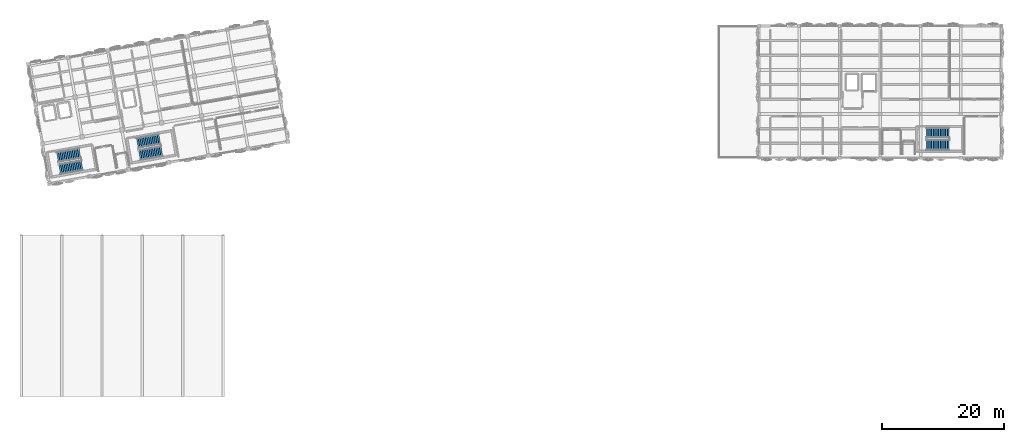
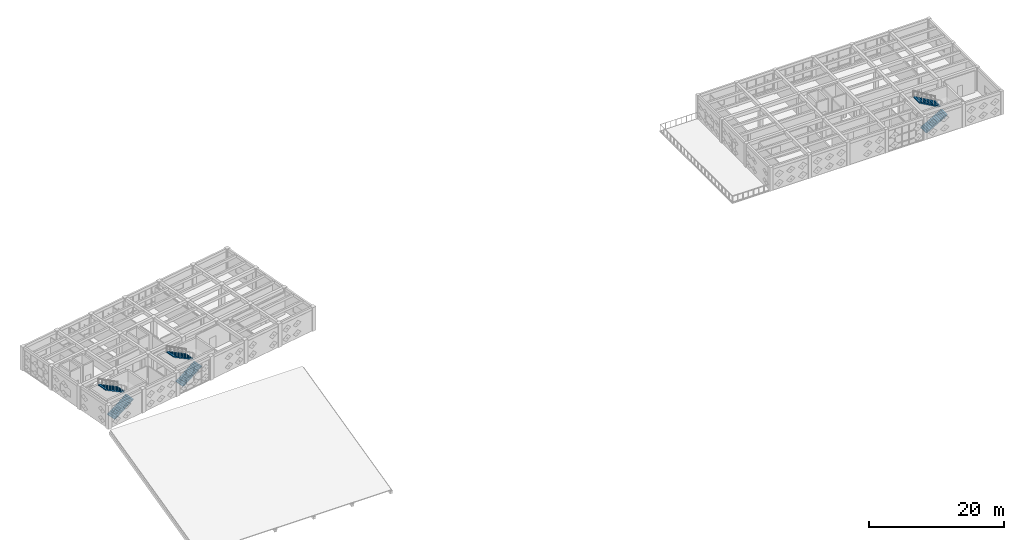
# One storey, part 33 of 39: 6 stair flights, 3 elements without a shape of their own.
"""IFC4 building model written with IfcOpenShell, lengths in metres."""

from ifc_helpers import new_model, si_unit, direction, frame, origin, place, context, subcontext, project, spatial, polyline, outline, extrude, material, type_object, element, aggregate, save


model = new_model("IFC4")

# Units and contexts
model_context = context("Model", 3, precision=1e-05, world=origin(), true_north=direction((0.0, 1.0)))
body_context = subcontext(model_context, "Body", "Model", "MODEL_VIEW")
ifc_project = project(units=[si_unit("LENGTHUNIT", "METRE"), si_unit("AREAUNIT", "SQUARE_METRE"), si_unit("VOLUMEUNIT", "CUBIC_METRE"), si_unit("PLANEANGLEUNIT", "RADIAN"), si_unit("MASSUNIT", "GRAM", prefix="KILO")], contexts=[model_context])

# Site, building, storey
site_placement = place(None, origin())
site = spatial("IfcSite", under=ifc_project, at=site_placement, CompositionType="ELEMENT")
building_placement = place(site_placement, origin())
building = spatial("IfcBuilding", under=site, at=building_placement, Name="Kharisveld Research Institute", CompositionType="ELEMENT")
storey_placement = place(building_placement, frame((0.0, 0.0, 23.10009765625)))
storey = spatial("IfcBuildingStorey", under=building, at=storey_placement, Name="L05", CompositionType="ELEMENT", Elevation=23.10009765625)

# Stair, stair flights
ifc_material_1 = material(Name="Concrete C40/50", Category="concrete")
stair_type = type_object("IfcStairType", Name="ST_EXIT_170", PredefinedType="TWO_STRAIGHT_RUN_STAIR", material=ifc_material_1)
stair_1_placement = place(storey_placement, origin())
stair_1 = element("IfcStair", 1, at=stair_1_placement, inside=storey, type_object=stair_type, Name="STR:ST1:L05", PredefinedType="TWO_STRAIGHT_RUN_STAIR")
ifc_material_2 = material(Name="Concrete C40/50", Category="concrete")
stair_flight_type = type_object("IfcStairFlightType", Name="SF_RUN_170", PredefinedType="STRAIGHT", material=ifc_material_2)
stair_flight_1_placement = place(storey_placement, frame((6.891357421875, 37.339111328125, 0.0), z_axis=(0.0, 0.0, 1.0), x_axis=(0.984807753012, 0.173648177667, 0.0)))
stair_flight_1 = element("IfcStairFlight", 2, at=stair_flight_1_placement, type_object=stair_flight_type, Name="ST-01 flight 1", NumberOfRisers=14, NumberOfTreads=13, PredefinedType="STRAIGHT", RiserHeight=0.160714, TreadLength=0.285, context=body_context, shape_type="SweptSolid", body=[
    extrude(outline(polyline([(0.0, 0.0), (0.0, 0.16064453125), (0.284912109375, 0.16064453125), (0.284912109375, 0.321533203125), (0.570068359375, 0.321533203125), (0.570068359375, 0.482177734375), (0.85498046875, 0.482177734375), (0.85498046875, 0.642822265625), (1.139892578125, 0.642822265625), (1.139892578125, 0.803466796875), (1.425048828125, 0.803466796875), (1.425048828125, 0.96435546875), (1.7099609375, 0.96435546875), (1.7099609375, 1.125), (1.9951171875, 1.125), (1.9951171875, 1.28564453125), (2.280029296875, 1.28564453125), (2.280029296875, 1.446533203125), (2.56494140625, 1.446533203125), (2.56494140625, 1.607177734375), (2.85009765625, 1.607177734375), (2.85009765625, 1.767822265625), (3.135009765625, 1.767822265625), (3.135009765625, 1.928466796875), (3.419921875, 1.928466796875), (3.419921875, 2.08935546875), (3.705078125, 2.08935546875), (3.705078125, 2.25), (3.705078125, 1.917236328125), (0.30517578125, 0.0), (0.0, 0.0)])), frame((0.0, 0.85009765625, 0.0), z_axis=(0.0, -1.0, 0.0), x_axis=(1.0, 0.0, 0.0)), (0.0, 0.0, 1.0), 1.699951171875),
])
stair_flight_2_placement = place(storey_placement, frame((10.182373046875, 40.01123046875, 2.25), z_axis=(0.0, 0.0, 1.0), x_axis=(-0.984807753012, -0.173648177667, 0.0)))
stair_flight_2 = element("IfcStairFlight", 3, at=stair_flight_2_placement, type_object=stair_flight_type, Name="ST-01 flight 2", NumberOfRisers=14, NumberOfTreads=13, PredefinedType="STRAIGHT", RiserHeight=0.160714, TreadLength=0.285, context=body_context, shape_type="SweptSolid", body=[
    extrude(outline(polyline([(0.0, 0.0), (0.0, 0.16064453125), (0.284912109375, 0.16064453125), (0.284912109375, 0.321533203125), (0.570068359375, 0.321533203125), (0.570068359375, 0.482177734375), (0.85498046875, 0.482177734375), (0.85498046875, 0.642822265625), (1.139892578125, 0.642822265625), (1.139892578125, 0.803466796875), (1.425048828125, 0.803466796875), (1.425048828125, 0.96435546875), (1.7099609375, 0.96435546875), (1.7099609375, 1.125), (1.9951171875, 1.125), (1.9951171875, 1.28564453125), (2.280029296875, 1.28564453125), (2.280029296875, 1.446533203125), (2.56494140625, 1.446533203125), (2.56494140625, 1.607177734375), (2.85009765625, 1.607177734375), (2.85009765625, 1.767822265625), (3.135009765625, 1.767822265625), (3.135009765625, 1.928466796875), (3.419921875, 1.928466796875), (3.419921875, 2.08935546875), (3.705078125, 2.08935546875), (3.705078125, 2.25), (3.705078125, 1.917236328125), (0.30517578125, 0.0), (0.0, 0.0)])), frame((0.0, 0.85009765625, 0.0), z_axis=(0.0, -1.0, 0.0), x_axis=(1.0, 0.0, 0.0)), (0.0, 0.0, 1.0), 1.699951171875),
])
aggregate(stair_1, [stair_flight_1, stair_flight_2])

stair_2_placement = place(storey_placement, origin())
stair_2 = element("IfcStair", 4, at=stair_2_placement, inside=storey, type_object=stair_type, Name="STR:ST2:L05", PredefinedType="TWO_STRAIGHT_RUN_STAIR")
stair_flight_3_placement = place(storey_placement, frame((19.93994140625, 39.639892578125, 0.0), z_axis=(0.0, 0.0, 1.0), x_axis=(0.984807753012, 0.173648177667, 0.0)))
stair_flight_3 = element("IfcStairFlight", 5, at=stair_flight_3_placement, type_object=stair_flight_type, Name="ST-02 flight 1", NumberOfRisers=14, NumberOfTreads=13, PredefinedType="STRAIGHT", RiserHeight=0.160714, TreadLength=0.285, context=body_context, shape_type="SweptSolid", body=[
    extrude(outline(polyline([(0.0, 0.0), (0.0, 0.16064453125), (0.284912109375, 0.16064453125), (0.284912109375, 0.321533203125), (0.570068359375, 0.321533203125), (0.570068359375, 0.482177734375), (0.85498046875, 0.482177734375), (0.85498046875, 0.642822265625), (1.139892578125, 0.642822265625), (1.139892578125, 0.803466796875), (1.425048828125, 0.803466796875), (1.425048828125, 0.96435546875), (1.7099609375, 0.96435546875), (1.7099609375, 1.125), (1.9951171875, 1.125), (1.9951171875, 1.28564453125), (2.280029296875, 1.28564453125), (2.280029296875, 1.446533203125), (2.56494140625, 1.446533203125), (2.56494140625, 1.607177734375), (2.85009765625, 1.607177734375), (2.85009765625, 1.767822265625), (3.135009765625, 1.767822265625), (3.135009765625, 1.928466796875), (3.419921875, 1.928466796875), (3.419921875, 2.08935546875), (3.705078125, 2.08935546875), (3.705078125, 2.25), (3.705078125, 1.917236328125), (0.30517578125, 0.0), (0.0, 0.0)])), frame((0.0, 0.85009765625, 0.0), z_axis=(0.0, -1.0, 0.0), x_axis=(1.0, 0.0, 0.0)), (0.0, 0.0, 1.0), 1.699951171875),
])
stair_flight_4_placement = place(storey_placement, frame((23.23095703125, 42.31201171875, 2.25), z_axis=(0.0, 0.0, 1.0), x_axis=(-0.984807753012, -0.173648177667, 0.0)))
stair_flight_4 = element("IfcStairFlight", 6, at=stair_flight_4_placement, type_object=stair_flight_type, Name="ST-02 flight 2", NumberOfRisers=14, NumberOfTreads=13, PredefinedType="STRAIGHT", RiserHeight=0.160714, TreadLength=0.285, context=body_context, shape_type="SweptSolid", body=[
    extrude(outline(polyline([(0.0, 0.0), (0.0, 0.16064453125), (0.284912109375, 0.16064453125), (0.284912109375, 0.321533203125), (0.570068359375, 0.321533203125), (0.570068359375, 0.482177734375), (0.85498046875, 0.482177734375), (0.85498046875, 0.642822265625), (1.139892578125, 0.642822265625), (1.139892578125, 0.803466796875), (1.425048828125, 0.803466796875), (1.425048828125, 0.96435546875), (1.7099609375, 0.96435546875), (1.7099609375, 1.125), (1.9951171875, 1.125), (1.9951171875, 1.28564453125), (2.280029296875, 1.28564453125), (2.280029296875, 1.446533203125), (2.56494140625, 1.446533203125), (2.56494140625, 1.607177734375), (2.85009765625, 1.607177734375), (2.85009765625, 1.767822265625), (3.135009765625, 1.767822265625), (3.135009765625, 1.928466796875), (3.419921875, 1.928466796875), (3.419921875, 2.08935546875), (3.705078125, 2.08935546875), (3.705078125, 2.25), (3.705078125, 1.917236328125), (0.30517578125, 0.0), (0.0, 0.0)])), frame((0.0, 0.85009765625, 0.0), z_axis=(0.0, -1.0, 0.0), x_axis=(1.0, 0.0, 0.0)), (0.0, 0.0, 1.0), 1.699951171875),
])
aggregate(stair_2, [stair_flight_3, stair_flight_4])

stair_3_placement = place(storey_placement, origin())
stair_3 = element("IfcStair", 7, at=stair_3_placement, inside=storey, type_object=stair_type, Name="STR:ST3:L05", PredefinedType="TWO_STRAIGHT_RUN_STAIR")
stair_flight_5_placement = place(storey_placement, frame((148.570068359375, 41.300048828125, 0.0), z_axis=(0.0, 0.0, 1.0), x_axis=(1.0, 0.0, 0.0)))
stair_flight_5 = element("IfcStairFlight", 8, at=stair_flight_5_placement, type_object=stair_flight_type, Name="ST-03 flight 1", NumberOfRisers=14, NumberOfTreads=13, PredefinedType="STRAIGHT", RiserHeight=0.160714, TreadLength=0.285, context=body_context, shape_type="SweptSolid", body=[
    extrude(outline(polyline([(0.0, 0.0), (0.0, 0.16064453125), (0.284912109375, 0.16064453125), (0.284912109375, 0.321533203125), (0.570068359375, 0.321533203125), (0.570068359375, 0.482177734375), (0.85498046875, 0.482177734375), (0.85498046875, 0.642822265625), (1.139892578125, 0.642822265625), (1.139892578125, 0.803466796875), (1.425048828125, 0.803466796875), (1.425048828125, 0.96435546875), (1.7099609375, 0.96435546875), (1.7099609375, 1.125), (1.9951171875, 1.125), (1.9951171875, 1.28564453125), (2.280029296875, 1.28564453125), (2.280029296875, 1.446533203125), (2.56494140625, 1.446533203125), (2.56494140625, 1.607177734375), (2.85009765625, 1.607177734375), (2.85009765625, 1.767822265625), (3.135009765625, 1.767822265625), (3.135009765625, 1.928466796875), (3.419921875, 1.928466796875), (3.419921875, 2.08935546875), (3.705078125, 2.08935546875), (3.705078125, 2.25), (3.705078125, 1.917236328125), (0.30517578125, 0.0), (0.0, 0.0)])), frame((0.0, 0.85009765625, 0.0), z_axis=(0.0, -1.0, 0.0), x_axis=(1.0, 0.0, 0.0)), (0.0, 0.0, 1.0), 1.699951171875),
])
stair_flight_6_placement = place(storey_placement, frame((152.27490234375, 43.360107421875, 2.25), z_axis=(0.0, 0.0, 1.0), x_axis=(-1.0, 0.0, 0.0)))
stair_flight_6 = element("IfcStairFlight", 9, at=stair_flight_6_placement, type_object=stair_flight_type, Name="ST-03 flight 2", NumberOfRisers=14, NumberOfTreads=13, PredefinedType="STRAIGHT", RiserHeight=0.160714, TreadLength=0.285, context=body_context, shape_type="SweptSolid", body=[
    extrude(outline(polyline([(0.0, 0.0), (0.0, 0.16064453125), (0.284912109375, 0.16064453125), (0.284912109375, 0.321533203125), (0.570068359375, 0.321533203125), (0.570068359375, 0.482177734375), (0.85498046875, 0.482177734375), (0.85498046875, 0.642822265625), (1.139892578125, 0.642822265625), (1.139892578125, 0.803466796875), (1.425048828125, 0.803466796875), (1.425048828125, 0.96435546875), (1.7099609375, 0.96435546875), (1.7099609375, 1.125), (1.9951171875, 1.125), (1.9951171875, 1.28564453125), (2.280029296875, 1.28564453125), (2.280029296875, 1.446533203125), (2.56494140625, 1.446533203125), (2.56494140625, 1.607177734375), (2.85009765625, 1.607177734375), (2.85009765625, 1.767822265625), (3.135009765625, 1.767822265625), (3.135009765625, 1.928466796875), (3.419921875, 1.928466796875), (3.419921875, 2.08935546875), (3.705078125, 2.08935546875), (3.705078125, 2.25), (3.705078125, 1.917236328125), (0.30517578125, 0.0), (0.0, 0.0)])), frame((0.0, 0.85009765625, 0.0), z_axis=(0.0, -1.0, 0.0), x_axis=(1.0, 0.0, 0.0)), (0.0, 0.0, 1.0), 1.699951171875),
])
aggregate(stair_3, [stair_flight_5, stair_flight_6])

save(model, "model.ifc")
